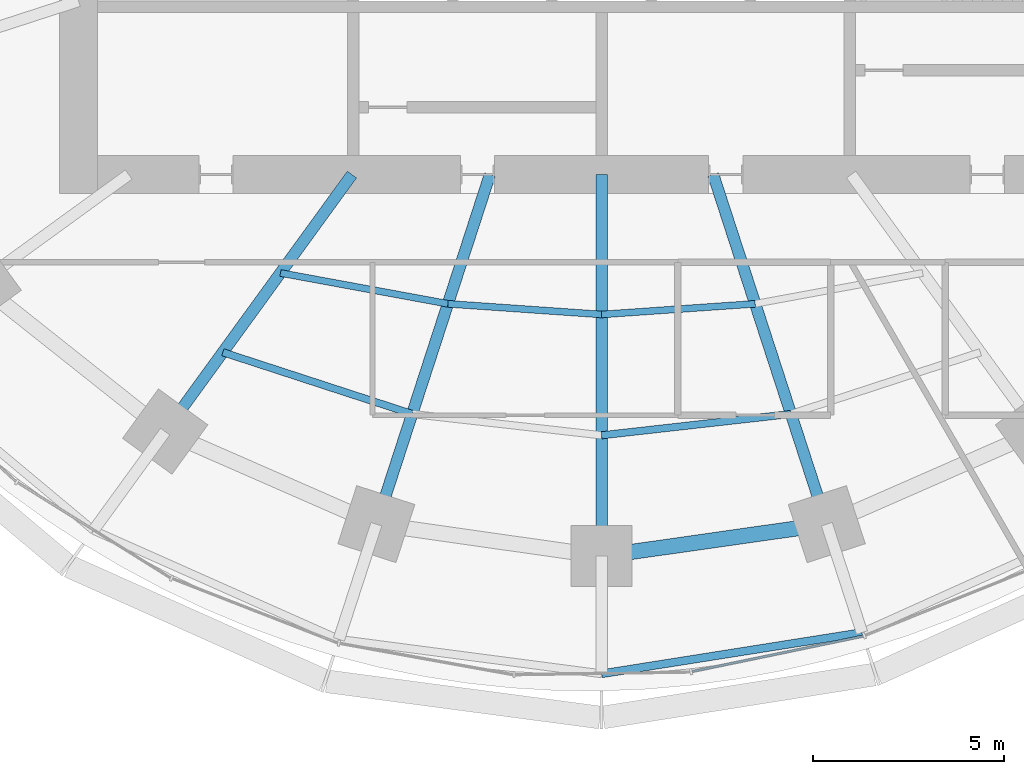
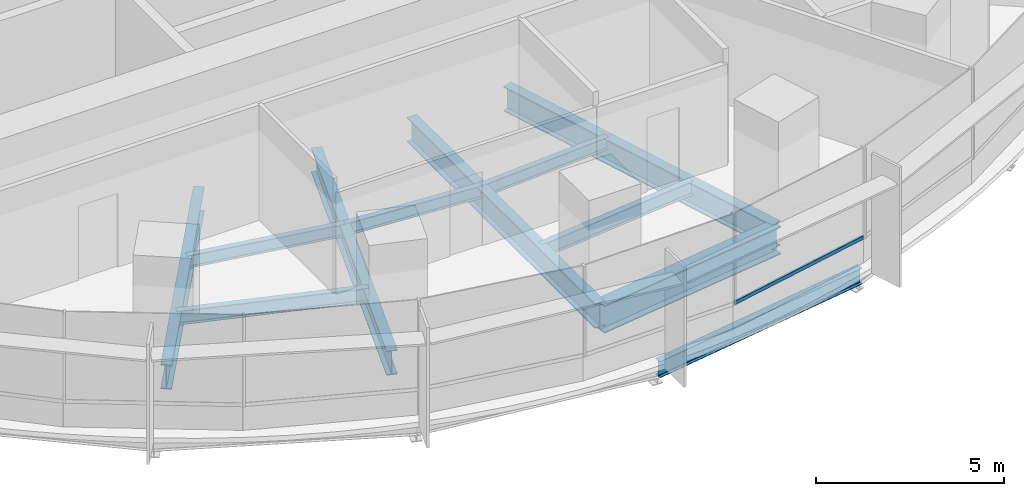
# One storey, part 3 of 14: 11 beams, 1 member, 1 element without a shape of its own.
"""IFC4 building model written with IfcOpenShell, lengths in metres."""

import ifcopenshell
import ifcopenshell.guid

model = None  # the IFC model being written
_history = None  # IfcOwnerHistory: only IFC2X3 demands one
_inside = {}  # id of a spatial element -> (the spatial element, [elements in it])
_under = {}  # id of a project, library or spatial element -> (it, [spatial elements below it])
_declared = {}  # id of a project -> (the project, [libraries it declares])
_typed = {}  # id of a type object -> (the type object, [elements of that type])
_made_of = {}  # id of a material, layer set ... -> (it, [elements and type objects made of it])


def new_model(schema):
    """Start an empty IFC model of exactly this schema.

    Asked for "IFC4X3", IfcOpenShell would pick the latest addendum, in which some entities
    have other attributes; the version numbers below select the first issue.
    IFC2X3 requires an IfcOwnerHistory on every rooted entity: one is made here for all.
    """
    global model, _history
    if schema == "IFC4X3":
        model = ifcopenshell.file(schema_version=(4, 3, 0, 0))
    else:
        model = ifcopenshell.file(schema=schema)
    _inside.clear()
    _under.clear()
    _declared.clear()
    _typed.clear()
    _made_of.clear()
    _history = None
    if model.schema == "IFC2X3":
        org = make("IfcOrganization", Name="unknown")
        user = make(
            "IfcPersonAndOrganization",
            ThePerson=make("IfcPerson", FamilyName="unknown"),
            TheOrganization=org,
        )
        app = make(
            "IfcApplication",
            ApplicationDeveloper=org,
            Version="unknown",
            ApplicationFullName="unknown",
            ApplicationIdentifier="unknown",
        )
        _history = make(
            "IfcOwnerHistory",
            OwningUser=user,
            OwningApplication=app,
            ChangeAction="ADDED",
            CreationDate=0,
        )
    return model


def make(cls, **values):
    """One entity of the class cls with the attributes given. An attribute that is None is left unset."""
    return model.create_entity(
        cls, **{name: value for name, value in values.items() if value is not None}
    )


def rooted(cls, **values):
    """An entity with a GlobalId (a new one), such as an element, a storey or a relation."""
    return make(cls, GlobalId=ifcopenshell.guid.new(), OwnerHistory=_history, **values)


def si_unit(unit_type, name, prefix=None):
    """IfcSIUnit, for example si_unit("LENGTHUNIT", "METRE", prefix="MILLI")."""
    return make("IfcSIUnit", UnitType=unit_type, Prefix=prefix, Name=name)


def assignment(units):
    """IfcUnitAssignment: the units of a project."""
    return None if units is None else make("IfcUnitAssignment", Units=units)


def point(xyz):
    """IfcCartesianPoint."""
    return None if xyz is None else make("IfcCartesianPoint", Coordinates=xyz)


def direction(xyz):
    """IfcDirection."""
    return None if xyz is None else make("IfcDirection", DirectionRatios=xyz)


def frame(location, z_axis=None, x_axis=None):
    """IfcAxis2Placement3D, a coordinate frame: its origin and axes. An axis left out is left unset."""
    return make(
        "IfcAxis2Placement3D",
        Location=point(location),
        Axis=direction(z_axis),
        RefDirection=direction(x_axis),
    )


def frame_2d(location, x_axis=None):
    """IfcAxis2Placement2D, a coordinate frame in the plane: its origin and x axis."""
    return make(
        "IfcAxis2Placement2D", Location=point(location), RefDirection=direction(x_axis)
    )


def origin():
    """The frame at (0, 0, 0) with its axes left unset."""
    return frame((0.0, 0.0, 0.0))


def origin_2d():
    """The frame at (0, 0) in the plane with its x axis left unset."""
    return frame_2d((0.0, 0.0))


def place(relative_to, where):
    """IfcLocalPlacement: puts the frame where relative to a parent placement (None: the world)."""
    return make(
        "IfcLocalPlacement", PlacementRelTo=relative_to, RelativePlacement=where
    )


def context(
    kind, dimensions, precision=None, world=None, true_north=None, identifier=None
):
    """IfcGeometricRepresentationContext, for example the 3D "Model" context."""
    return make(
        "IfcGeometricRepresentationContext",
        ContextIdentifier=identifier,
        ContextType=kind,
        CoordinateSpaceDimension=dimensions,
        Precision=precision,
        WorldCoordinateSystem=world,
        TrueNorth=true_north,
    )


def subcontext(parent, identifier, kind, view, scale=None):
    """IfcGeometricRepresentationSubContext, for example "Body" below "Model"."""
    return make(
        "IfcGeometricRepresentationSubContext",
        ContextIdentifier=identifier,
        ContextType=kind,
        ParentContext=parent,
        TargetScale=scale,
        TargetView=view,
    )


def project(units=None, contexts=None):
    """IfcProject with its units and contexts."""
    return rooted(
        "IfcProject",
        Name="project",
        RepresentationContexts=contexts,
        UnitsInContext=assignment(units),
    )


def spatial(cls, under=None, at=None, **own):
    """A site, building, storey or space (cls), placed at a placement, below another one or the project."""
    s = rooted(cls, ObjectPlacement=at, **own)
    if under is not None:
        _under.setdefault(under.id(), (under, []))[1].append(s)
    return s


def profile(cls, at=None, kind="AREA", **sizes):
    """A parametric profile (cls). Its sizes go by their IFC names, for example OverallWidth=200.0."""
    return make(cls, ProfileType=kind, Position=at, **sizes)


def rectangle(**sizes):
    """IfcRectangleProfileDef."""
    return profile("IfcRectangleProfileDef", **sizes)


def i_section(**sizes):
    """IfcIShapeProfileDef."""
    return profile("IfcIShapeProfileDef", **sizes)


def extrude(swept, where, along, depth):
    """IfcExtrudedAreaSolid: the profile swept, set in the frame where, extruded along a direction by depth."""
    return make(
        "IfcExtrudedAreaSolid",
        SweptArea=swept,
        Position=where,
        ExtrudedDirection=direction(along),
        Depth=depth,
    )


def shape(context_of_items, identifier, shape_type, items):
    """IfcShapeRepresentation: the items that make up one representation, for example the "Body"."""
    return make(
        "IfcShapeRepresentation",
        ContextOfItems=context_of_items,
        RepresentationIdentifier=identifier,
        RepresentationType=shape_type,
        Items=items,
    )


def material(Name=None, Category=None):
    """IfcMaterial."""
    return make("IfcMaterial", Name=Name, Category=Category)


def material_profile(
    of_material, cross_section, Name=None, Category=None, Priority=None
):
    """IfcMaterialProfile: a cross section and its material."""
    return make(
        "IfcMaterialProfile",
        Name=Name,
        Material=of_material,
        Profile=cross_section,
        Priority=Priority,
        Category=Category,
    )


def profile_set(profiles, Name=None, composite=None):
    """IfcMaterialProfileSet."""
    return make(
        "IfcMaterialProfileSet",
        Name=Name,
        MaterialProfiles=profiles,
        CompositeProfile=composite,
    )


def made_of(thing, what):
    """Note that an element or type object is made of a material, layer set ...; save() writes the relation."""
    if what is not None:
        _made_of.setdefault(what.id(), (what, []))[1].append(thing)
    return thing


def type_object(cls, material=None, **own):
    """A type object (cls), such as IfcWallType, which elements share."""
    return made_of(rooted(cls, **own), material)


def element(
    cls,
    number,
    at=None,
    inside=None,
    cuts=None,
    type_object=None,
    material=None,
    context=None,
    identifier="Body",
    shape_type=None,
    held_by="IfcProductDefinitionShape",
    body=None,
    shapes=None,
    **own,
):
    """One element of the class cls, such as IfcWall. Its Tag is "e" and its number.

    at: its placement. inside: the storey or other place that contains it. cuts: it is an
    opening in that element (IfcRelVoidsElement). A single representation is given by context,
    identifier, shape_type and body (its items); several are given by shapes. held_by: the class
    of the entity that holds the representations. save() writes the other relations.
    """
    e = rooted(cls, Tag="e%d" % number, ObjectPlacement=at, **own)
    if body is not None:
        shapes = [shape(context, identifier, shape_type, body)]
    if shapes is not None:
        e.Representation = make(held_by, Representations=shapes)
    if inside is not None:
        _inside.setdefault(inside.id(), (inside, []))[1].append(e)
    if cuts is not None:
        rooted(
            "IfcRelVoidsElement", RelatingBuildingElement=cuts, RelatedOpeningElement=e
        )
    if type_object is not None:
        _typed.setdefault(type_object.id(), (type_object, []))[1].append(e)
    return made_of(e, material)


def aggregate(whole, parts):
    """IfcRelAggregates: a whole, such as a stair, and the parts it consists of."""
    return rooted("IfcRelAggregates", RelatingObject=whole, RelatedObjects=parts)


def save(model, path):
    """Write the relations noted so far, then the file.

    IfcRelAggregates (storeys below a building ...), IfcRelContainedInSpatialStructure (elements
    in a storey), IfcRelDefinesByType, IfcRelAssociatesMaterial and IfcRelDeclares: one each for
    every whole, place, type object, material and project.
    """
    for whole, parts in _under.values():
        aggregate(whole, parts)
    for where, things in _inside.values():
        rooted(
            "IfcRelContainedInSpatialStructure",
            RelatedElements=things,
            RelatingStructure=where,
        )
    for kind, things in _typed.values():
        rooted("IfcRelDefinesByType", RelatedObjects=things, RelatingType=kind)
    for what, things in _made_of.values():
        rooted("IfcRelAssociatesMaterial", RelatedObjects=things, RelatingMaterial=what)
    for by, libraries in _declared.values():
        rooted("IfcRelDeclares", RelatingContext=by, RelatedDefinitions=libraries)
    model.write(path)


model = new_model("IFC4")

# Units and contexts
model_context = context("Model", 3, precision=1e-05, world=origin(), true_north=direction((0.0, 1.0)))
body_context = subcontext(model_context, "Body", "Model", "MODEL_VIEW")
ifc_project = project(units=[si_unit("LENGTHUNIT", "METRE"), si_unit("AREAUNIT", "SQUARE_METRE"), si_unit("VOLUMEUNIT", "CUBIC_METRE"), si_unit("PLANEANGLEUNIT", "RADIAN"), si_unit("MASSUNIT", "GRAM", prefix="KILO")], contexts=[model_context])

# Site, building, storey
site_placement = place(None, origin())
site = spatial("IfcSite", under=ifc_project, at=site_placement, CompositionType="ELEMENT")
building_placement = place(site_placement, origin())
building = spatial("IfcBuilding", under=site, at=building_placement, Name="Marramba Exchange Tower", CompositionType="ELEMENT")
storey_placement = place(building_placement, frame((0.0, 0.0, 147.0)))
storey = spatial("IfcBuildingStorey", under=building, at=storey_placement, Name="L35", CompositionType="ELEMENT", Elevation=147.0)

# Beams
ifc_material_1 = material(Name="Steel AS/NZS 3679.1 grade 300", Category="steel")
ifc_material_profile_1 = material_profile(ifc_material_1, i_section(OverallWidth=0.177978515625, OverallDepth=0.406005859375, WebThickness=0.0078125, FlangeThickness=0.0126953125, FilletRadius=0.011474609375, at=origin_2d()), Name="410UB59.7")
ifc_profile_set_1 = profile_set([ifc_material_profile_1], Name="Steel AS/NZS 3679.1 grade 300")
beam_type_1 = type_object("IfcBeamType", Name="Floor joist 410UB59.7", PredefinedType="JOIST", material=ifc_profile_set_1)
beam_1_placement = place(storey_placement, frame((-8.41162109375, -11.57763671875, -0.363037109375), z_axis=(0.983455754421, -0.181148500119, 0.0), x_axis=(0.181148500119, 0.983455754421, 0.0)))
element("IfcBeam", 1, at=beam_1_placement, inside=storey, type_object=beam_type_1, Name="Joist L35 bay 14 row 1", PredefinedType="JOIST", context=body_context, shape_type="SweptSolid", body=[
    extrude(i_section(OverallWidth=0.177978515625, OverallDepth=0.406005859375, WebThickness=0.0078125, FlangeThickness=0.0126953125, FilletRadius=0.011474609375, at=origin_2d()), origin(), (0.0, 0.0, 1.0), 4.4609375),
])
for number, where, z_axis, x_axis, name in (
    (2, (-4.0244140625, -12.3857421875, -0.363037109375), (0.99759625901, -0.069294328838, 0.0), (0.069294328838, 0.99759625901, 0.0), "Joist L35 bay 15 row 1"),
    (3, (0.0, -12.665283203125, -0.363037109375), (0.99759625901, 0.069294328838, 0.0), (-0.069294328838, 0.99759625901, 0.0), "Joist L35 bay 16 row 1"),
):
    element("IfcBeam", number, at=place(storey_placement, frame(where, z_axis=z_axis, x_axis=x_axis)), inside=storey, type_object=beam_type_1, Name=name, PredefinedType="JOIST", context=body_context, shape_type="SweptSolid", body=[
        extrude(i_section(OverallWidth=0.177978515625, OverallDepth=0.406005859375, WebThickness=0.0078125, FlangeThickness=0.0126953125, FilletRadius=0.011474609375, at=origin_2d()), origin(), (0.0, 0.0, 1.0), 4.0341796875),
    ])
ifc_material_profile_2 = material_profile(ifc_material_1, i_section(OverallWidth=0.18994140625, OverallDepth=0.4541015625, WebThickness=0.008544921875, FlangeThickness=0.0126953125, FilletRadius=0.011474609375, at=origin_2d()), Name="460UB67.1")
ifc_profile_set_2 = profile_set([ifc_material_profile_2], Name="Steel AS/NZS 3679.1 grade 300")
beam_type_2 = type_object("IfcBeamType", Name="Floor joist 460UB67.1", PredefinedType="JOIST", material=ifc_profile_set_2)
beam_2_placement = place(storey_placement, frame((-9.9208984375, -13.655029296875, -0.386962890625), z_axis=(0.950764024931, -0.309915744834, 0.0), x_axis=(0.309915744834, 0.950764024931, 0.0)))
element("IfcBeam", 4, at=beam_2_placement, inside=storey, type_object=beam_type_2, Name="Joist L35 bay 14 row 2", PredefinedType="JOIST", context=body_context, shape_type="SweptSolid", body=[
    extrude(i_section(OverallWidth=0.18994140625, OverallDepth=0.4541015625, WebThickness=0.008544921875, FlangeThickness=0.0126953125, FilletRadius=0.011474609375, at=origin_2d()), origin(), (0.0, 0.0, 1.0), 5.2158203125),
])
beam_3_placement = place(storey_placement, frame((0.0, -15.83056640625, -0.386962890625), z_axis=(0.993712018573, 0.111966174106, 0.0), x_axis=(-0.111966174106, 0.993712018573, 0.0)))
element("IfcBeam", 5, at=beam_3_placement, inside=storey, type_object=beam_type_2, Name="Joist L35 bay 16 row 2", PredefinedType="JOIST", context=body_context, shape_type="SweptSolid", body=[
    extrude(i_section(OverallWidth=0.18994140625, OverallDepth=0.4541015625, WebThickness=0.008544921875, FlangeThickness=0.0126953125, FilletRadius=0.011474609375, at=origin_2d()), origin(), (0.0, 0.0, 1.0), 4.993408203125),
])

# Curtain wall, member
ifc_material_2 = material(Name="Aluminium framing, bronze anodised", Category="aluminium")
curtain_wall_type = type_object("IfcCurtainWallType", Name="Office ribbon curtain wall", PredefinedType="USERDEFINED", material=ifc_material_2)
curtain_wall_placement = place(storey_placement, origin())
curtain_wall = element("IfcCurtainWall", 6, at=curtain_wall_placement, inside=storey, type_object=curtain_wall_type, Name="Curtain wall CW4 L35 F21-F25", ObjectType="RIBBON CURTAIN WALL", PredefinedType="USERDEFINED")
ifc_material_3 = material(Name="Aluminium transom, bronze anodised", Category="aluminium")
ifc_material_profile_3 = material_profile(ifc_material_3, rectangle(XDim=0.06005859375, YDim=0.1201171875, at=origin_2d()), Name="CW4 transom 60x120")
ifc_profile_set_3 = profile_set([ifc_material_profile_3], Name="Aluminium transom, bronze anodised")
member_type = type_object("IfcMemberType", Name="Office ribbon curtain wall transom", PredefinedType="USERDEFINED", material=ifc_profile_set_3)
member_placement = place(storey_placement, frame((2.374267578125, -22.017822265625, 0.830078125), z_axis=(0.979310422034, 0.202363774661, 0.0), x_axis=(-0.202363774661, 0.979310422034, 0.0)))
member = element("IfcMember", 7, at=member_placement, type_object=member_type, Name="CW4 sill transom", ObjectType="TRANSOM", PredefinedType="USERDEFINED", context=body_context, shape_type="SweptSolid", body=[
    extrude(rectangle(XDim=0.06005859375, YDim=0.1201171875, at=origin_2d()), origin(), (0.0, 0.0, 1.0), 4.57373046875),
])
aggregate(curtain_wall, [member])

# Beams
ifc_material_4 = material(Name="Steel AS/NZS 3679.2 grade 300", Category="steel")
ifc_material_profile_4 = material_profile(ifc_material_4, i_section(OverallWidth=0.300048828125, OverallDepth=0.800048828125, WebThickness=0.013916015625, FlangeThickness=0.031982421875, at=origin_2d()), Name="800WB192")
ifc_profile_set_4 = profile_set([ifc_material_profile_4], Name="Steel AS/NZS 3679.2 grade 300")
beam_type_3 = type_object("IfcBeamType", Name="Radial girder 800WB192", PredefinedType="BEAM", material=ifc_profile_set_4)
beam_4_placement = place(storey_placement, frame((-6.538818359375, -9.0, -0.56005859375), z_axis=(-0.587787877172, -0.809015087282, 0.0), x_axis=(0.809015087282, -0.587787877172, 0.0)))
element("IfcBeam", 8, at=beam_4_placement, inside=storey, type_object=beam_type_3, Name="Radial girder L35 TC14", PredefinedType="BEAM", context=body_context, shape_type="SweptSolid", body=[
    extrude(i_section(OverallWidth=0.300048828125, OverallDepth=0.800048828125, WebThickness=0.013916015625, FlangeThickness=0.031982421875, at=origin_2d()), origin(), (0.0, 0.0, 1.0), 8.322021484375),
])
beam_5_placement = place(storey_placement, frame((-2.92431640625, -9.0, -0.56005859375), z_axis=(-0.309022428985, -0.951054750466, 0.0), x_axis=(0.951054750466, -0.309022428985, 0.0)))
element("IfcBeam", 9, at=beam_5_placement, inside=storey, type_object=beam_type_3, Name="Radial girder L35 TC15", PredefinedType="BEAM", context=body_context, shape_type="SweptSolid", body=[
    extrude(i_section(OverallWidth=0.300048828125, OverallDepth=0.800048828125, WebThickness=0.013916015625, FlangeThickness=0.031982421875, at=origin_2d()), origin(), (0.0, 0.0, 1.0), 9.628173828125),
])
beam_6_placement = place(storey_placement, frame((0.0, -9.0, -0.56005859375), z_axis=(0.0, -1.0, 0.0), x_axis=(1.0, 0.0, 0.0)))
element("IfcBeam", 10, at=beam_6_placement, inside=storey, type_object=beam_type_3, Name="Radial girder L35 TC16", PredefinedType="BEAM", context=body_context, shape_type="SweptSolid", body=[
    extrude(i_section(OverallWidth=0.300048828125, OverallDepth=0.800048828125, WebThickness=0.013916015625, FlangeThickness=0.031982421875, at=origin_2d()), origin(), (0.0, 0.0, 1.0), 9.99609375),
])
beam_7_placement = place(storey_placement, frame((2.92431640625, -9.0, -0.56005859375), z_axis=(0.309022428985, -0.951054750466, 0.0), x_axis=(0.951054750466, 0.309022428985, 0.0)))
element("IfcBeam", 11, at=beam_7_placement, inside=storey, type_object=beam_type_3, Name="Radial girder L35 TC17", PredefinedType="BEAM", context=body_context, shape_type="SweptSolid", body=[
    extrude(i_section(OverallWidth=0.300048828125, OverallDepth=0.800048828125, WebThickness=0.013916015625, FlangeThickness=0.031982421875, at=origin_2d()), origin(), (0.0, 0.0, 1.0), 9.628173828125),
])
ifc_material_profile_5 = material_profile(ifc_material_4, i_section(OverallWidth=0.39990234375, OverallDepth=0.89990234375, WebThickness=0.01611328125, FlangeThickness=0.031982421875, at=origin_2d()), Name="900WB282")
ifc_profile_set_5 = profile_set([ifc_material_profile_5], Name="Steel AS/NZS 3679.2 grade 300")
beam_type_4 = type_object("IfcBeamType", Name="Ring beam 900WB282", PredefinedType="SPANDREL", material=ifc_profile_set_5)
beam_8_placement = place(storey_placement, frame((0.0, -18.99609375, -0.610107421875), z_axis=(0.990036163016, 0.140813337152, 0.0), x_axis=(-0.140813337152, 0.990036163016, 0.0)))
element("IfcBeam", 12, at=beam_8_placement, inside=storey, type_object=beam_type_4, Name="Ring beam L35 TC16-TC17", PredefinedType="SPANDREL", context=body_context, shape_type="SweptSolid", body=[
    extrude(i_section(OverallWidth=0.39990234375, OverallDepth=0.89990234375, WebThickness=0.01611328125, FlangeThickness=0.031982421875, at=origin_2d()), origin(), (0.0, 0.0, 1.0), 5.958984375),
])
ifc_material_profile_6 = material_profile(ifc_material_1, i_section(OverallWidth=0.208984375, OverallDepth=0.528076171875, WebThickness=0.009521484375, FlangeThickness=0.01318359375, FilletRadius=0.013916015625, at=origin_2d()), Name="530UB82.0")
ifc_profile_set_6 = profile_set([ifc_material_profile_6], Name="Steel AS/NZS 3679.1 grade 300")
beam_type_5 = type_object("IfcBeamType", Name="Slab edge beam 530UB82.0", PredefinedType="SPANDREL", material=ifc_profile_set_6)
beam_9_placement = place(storey_placement, frame((0.0, -22.076904296875, -0.424072265625), z_axis=(0.987705008555, 0.15632919137, 0.0), x_axis=(-0.15632919137, 0.987705008555, 0.0)))
element("IfcBeam", 13, at=beam_9_placement, inside=storey, type_object=beam_type_5, Name="Slab edge beam L35 TC16-TC17", PredefinedType="SPANDREL", context=body_context, shape_type="SweptSolid", body=[
    extrude(i_section(OverallWidth=0.208984375, OverallDepth=0.528076171875, WebThickness=0.009521484375, FlangeThickness=0.01318359375, FilletRadius=0.013916015625, at=origin_2d()), origin(), (0.0, 0.0, 1.0), 6.907470703125),
])

save(model, "model.ifc")
